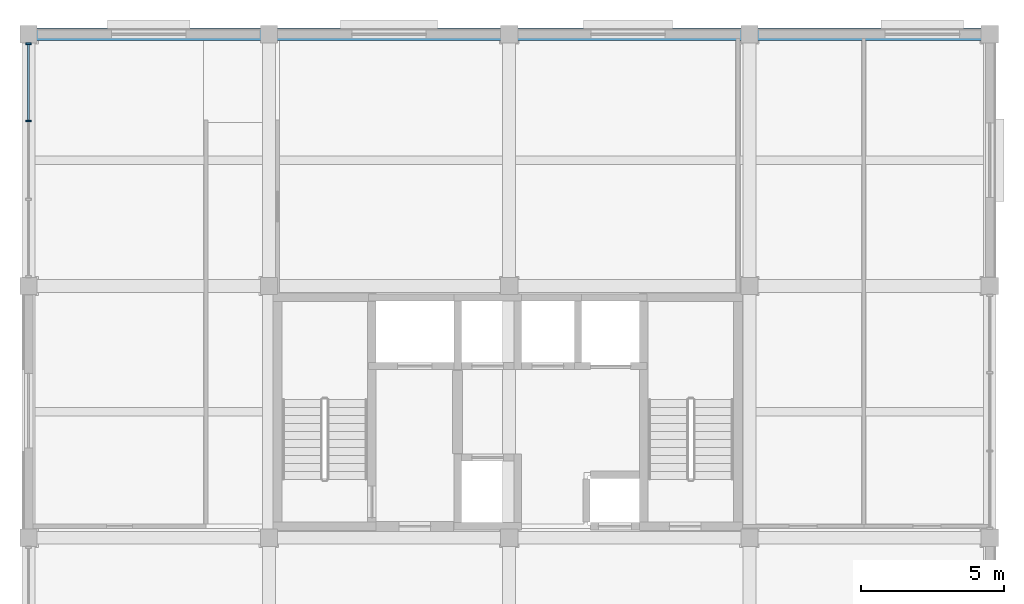
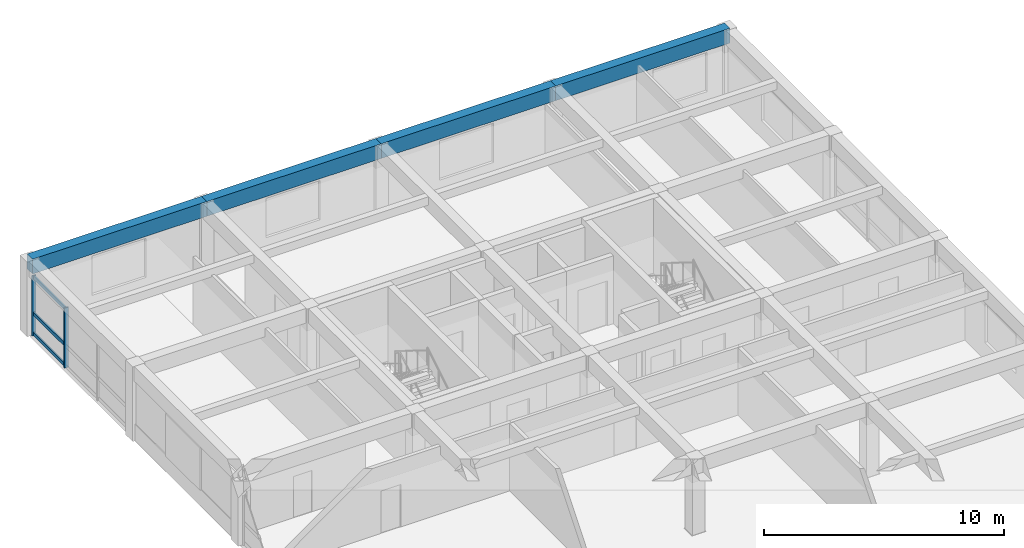
# One storey, part 5 of 12: 5 members, 4 beams, 1 element without a shape of its own.
"""IFC4 building model written with IfcOpenShell, lengths in metres."""

import ifcopenshell
import ifcopenshell.guid

model = None  # the IFC model being written
_history = None  # IfcOwnerHistory: only IFC2X3 demands one
_inside = {}  # id of a spatial element -> (the spatial element, [elements in it])
_under = {}  # id of a project, library or spatial element -> (it, [spatial elements below it])
_declared = {}  # id of a project -> (the project, [libraries it declares])
_typed = {}  # id of a type object -> (the type object, [elements of that type])
_made_of = {}  # id of a material, layer set ... -> (it, [elements and type objects made of it])


def new_model(schema):
    """Start an empty IFC model of exactly this schema.

    Asked for "IFC4X3", IfcOpenShell would pick the latest addendum, in which some entities
    have other attributes; the version numbers below select the first issue.
    IFC2X3 requires an IfcOwnerHistory on every rooted entity: one is made here for all.
    """
    global model, _history
    if schema == "IFC4X3":
        model = ifcopenshell.file(schema_version=(4, 3, 0, 0))
    else:
        model = ifcopenshell.file(schema=schema)
    _inside.clear()
    _under.clear()
    _declared.clear()
    _typed.clear()
    _made_of.clear()
    _history = None
    if model.schema == "IFC2X3":
        org = make("IfcOrganization", Name="unknown")
        user = make(
            "IfcPersonAndOrganization",
            ThePerson=make("IfcPerson", FamilyName="unknown"),
            TheOrganization=org,
        )
        app = make(
            "IfcApplication",
            ApplicationDeveloper=org,
            Version="unknown",
            ApplicationFullName="unknown",
            ApplicationIdentifier="unknown",
        )
        _history = make(
            "IfcOwnerHistory",
            OwningUser=user,
            OwningApplication=app,
            ChangeAction="ADDED",
            CreationDate=0,
        )
    return model


def make(cls, **values):
    """One entity of the class cls with the attributes given. An attribute that is None is left unset."""
    return model.create_entity(
        cls, **{name: value for name, value in values.items() if value is not None}
    )


def rooted(cls, **values):
    """An entity with a GlobalId (a new one), such as an element, a storey or a relation."""
    return make(cls, GlobalId=ifcopenshell.guid.new(), OwnerHistory=_history, **values)


def si_unit(unit_type, name, prefix=None):
    """IfcSIUnit, for example si_unit("LENGTHUNIT", "METRE", prefix="MILLI")."""
    return make("IfcSIUnit", UnitType=unit_type, Prefix=prefix, Name=name)


def assignment(units):
    """IfcUnitAssignment: the units of a project."""
    return None if units is None else make("IfcUnitAssignment", Units=units)


def point(xyz):
    """IfcCartesianPoint."""
    return None if xyz is None else make("IfcCartesianPoint", Coordinates=xyz)


def direction(xyz):
    """IfcDirection."""
    return None if xyz is None else make("IfcDirection", DirectionRatios=xyz)


def frame(location, z_axis=None, x_axis=None):
    """IfcAxis2Placement3D, a coordinate frame: its origin and axes. An axis left out is left unset."""
    return make(
        "IfcAxis2Placement3D",
        Location=point(location),
        Axis=direction(z_axis),
        RefDirection=direction(x_axis),
    )


def frame_2d(location, x_axis=None):
    """IfcAxis2Placement2D, a coordinate frame in the plane: its origin and x axis."""
    return make(
        "IfcAxis2Placement2D", Location=point(location), RefDirection=direction(x_axis)
    )


def origin():
    """The frame at (0, 0, 0) with its axes left unset."""
    return frame((0.0, 0.0, 0.0))


def origin_2d():
    """The frame at (0, 0) in the plane with its x axis left unset."""
    return frame_2d((0.0, 0.0))


def place(relative_to, where):
    """IfcLocalPlacement: puts the frame where relative to a parent placement (None: the world)."""
    return make(
        "IfcLocalPlacement", PlacementRelTo=relative_to, RelativePlacement=where
    )


def context(
    kind, dimensions, precision=None, world=None, true_north=None, identifier=None
):
    """IfcGeometricRepresentationContext, for example the 3D "Model" context."""
    return make(
        "IfcGeometricRepresentationContext",
        ContextIdentifier=identifier,
        ContextType=kind,
        CoordinateSpaceDimension=dimensions,
        Precision=precision,
        WorldCoordinateSystem=world,
        TrueNorth=true_north,
    )


def subcontext(parent, identifier, kind, view, scale=None):
    """IfcGeometricRepresentationSubContext, for example "Body" below "Model"."""
    return make(
        "IfcGeometricRepresentationSubContext",
        ContextIdentifier=identifier,
        ContextType=kind,
        ParentContext=parent,
        TargetScale=scale,
        TargetView=view,
    )


def project(units=None, contexts=None):
    """IfcProject with its units and contexts."""
    return rooted(
        "IfcProject",
        Name="project",
        RepresentationContexts=contexts,
        UnitsInContext=assignment(units),
    )


def spatial(cls, under=None, at=None, **own):
    """A site, building, storey or space (cls), placed at a placement, below another one or the project."""
    s = rooted(cls, ObjectPlacement=at, **own)
    if under is not None:
        _under.setdefault(under.id(), (under, []))[1].append(s)
    return s


def profile(cls, at=None, kind="AREA", **sizes):
    """A parametric profile (cls). Its sizes go by their IFC names, for example OverallWidth=200.0."""
    return make(cls, ProfileType=kind, Position=at, **sizes)


def rectangle(**sizes):
    """IfcRectangleProfileDef."""
    return profile("IfcRectangleProfileDef", **sizes)


def extrude(swept, where, along, depth):
    """IfcExtrudedAreaSolid: the profile swept, set in the frame where, extruded along a direction by depth."""
    return make(
        "IfcExtrudedAreaSolid",
        SweptArea=swept,
        Position=where,
        ExtrudedDirection=direction(along),
        Depth=depth,
    )


def shape(context_of_items, identifier, shape_type, items):
    """IfcShapeRepresentation: the items that make up one representation, for example the "Body"."""
    return make(
        "IfcShapeRepresentation",
        ContextOfItems=context_of_items,
        RepresentationIdentifier=identifier,
        RepresentationType=shape_type,
        Items=items,
    )


def material(Name=None, Category=None):
    """IfcMaterial."""
    return make("IfcMaterial", Name=Name, Category=Category)


def material_profile(
    of_material, cross_section, Name=None, Category=None, Priority=None
):
    """IfcMaterialProfile: a cross section and its material."""
    return make(
        "IfcMaterialProfile",
        Name=Name,
        Material=of_material,
        Profile=cross_section,
        Priority=Priority,
        Category=Category,
    )


def profile_set(profiles, Name=None, composite=None):
    """IfcMaterialProfileSet."""
    return make(
        "IfcMaterialProfileSet",
        Name=Name,
        MaterialProfiles=profiles,
        CompositeProfile=composite,
    )


def made_of(thing, what):
    """Note that an element or type object is made of a material, layer set ...; save() writes the relation."""
    if what is not None:
        _made_of.setdefault(what.id(), (what, []))[1].append(thing)
    return thing


def type_object(cls, material=None, **own):
    """A type object (cls), such as IfcWallType, which elements share."""
    return made_of(rooted(cls, **own), material)


def element(
    cls,
    number,
    at=None,
    inside=None,
    cuts=None,
    type_object=None,
    material=None,
    context=None,
    identifier="Body",
    shape_type=None,
    held_by="IfcProductDefinitionShape",
    body=None,
    shapes=None,
    **own,
):
    """One element of the class cls, such as IfcWall. Its Tag is "e" and its number.

    at: its placement. inside: the storey or other place that contains it. cuts: it is an
    opening in that element (IfcRelVoidsElement). A single representation is given by context,
    identifier, shape_type and body (its items); several are given by shapes. held_by: the class
    of the entity that holds the representations. save() writes the other relations.
    """
    e = rooted(cls, Tag="e%d" % number, ObjectPlacement=at, **own)
    if body is not None:
        shapes = [shape(context, identifier, shape_type, body)]
    if shapes is not None:
        e.Representation = make(held_by, Representations=shapes)
    if inside is not None:
        _inside.setdefault(inside.id(), (inside, []))[1].append(e)
    if cuts is not None:
        rooted(
            "IfcRelVoidsElement", RelatingBuildingElement=cuts, RelatedOpeningElement=e
        )
    if type_object is not None:
        _typed.setdefault(type_object.id(), (type_object, []))[1].append(e)
    return made_of(e, material)


def aggregate(whole, parts):
    """IfcRelAggregates: a whole, such as a stair, and the parts it consists of."""
    return rooted("IfcRelAggregates", RelatingObject=whole, RelatedObjects=parts)


def save(model, path):
    """Write the relations noted so far, then the file.

    IfcRelAggregates (storeys below a building ...), IfcRelContainedInSpatialStructure (elements
    in a storey), IfcRelDefinesByType, IfcRelAssociatesMaterial and IfcRelDeclares: one each for
    every whole, place, type object, material and project.
    """
    for whole, parts in _under.values():
        aggregate(whole, parts)
    for where, things in _inside.values():
        rooted(
            "IfcRelContainedInSpatialStructure",
            RelatedElements=things,
            RelatingStructure=where,
        )
    for kind, things in _typed.values():
        rooted("IfcRelDefinesByType", RelatedObjects=things, RelatingType=kind)
    for what, things in _made_of.values():
        rooted("IfcRelAssociatesMaterial", RelatedObjects=things, RelatingMaterial=what)
    for by, libraries in _declared.values():
        rooted("IfcRelDeclares", RelatingContext=by, RelatedDefinitions=libraries)
    model.write(path)


model = new_model("IFC4")

# Units and contexts
model_context = context("Model", 3, precision=1e-05, world=origin(), true_north=direction((0.0, 1.0)))
body_context = subcontext(model_context, "Body", "Model", "MODEL_VIEW")
ifc_project = project(units=[si_unit("LENGTHUNIT", "METRE"), si_unit("AREAUNIT", "SQUARE_METRE"), si_unit("VOLUMEUNIT", "CUBIC_METRE"), si_unit("PLANEANGLEUNIT", "RADIAN"), si_unit("MASSUNIT", "GRAM", prefix="KILO")], contexts=[model_context])

# Site, building, storey
site_placement = place(None, origin())
site = spatial("IfcSite", under=ifc_project, at=site_placement, CompositionType="ELEMENT")
building_placement = place(site_placement, origin())
building = spatial("IfcBuilding", under=site, at=building_placement, Name="Kemercrest Conservatory and Botanical Centre", CompositionType="ELEMENT")
storey_placement = place(building_placement, frame((0.0, 0.0, 56.0)))
storey = spatial("IfcBuildingStorey", under=building, at=storey_placement, Name="L14", CompositionType="ELEMENT", Elevation=56.0)

# Curtain wall, members
ifc_material_1 = material(Name="Thermally broken aluminium and triple low-e glazing", Category="aluminium")
curtain_wall_type = type_object("IfcCurtainWallType", Name="CW-24", PredefinedType="USERDEFINED", material=ifc_material_1)
curtain_wall_placement = place(storey_placement, origin())
curtain_wall = element("IfcCurtainWall", 1, at=curtain_wall_placement, inside=storey, type_object=curtain_wall_type, Name="Unitised curtain wall CW-24 (CW:L14:V4-143)", ObjectType="UNITISED CURTAIN WALL", PredefinedType="USERDEFINED")
ifc_material_2 = material(Name="Thermally broken anodized aluminium 6063-T6", Category="aluminium")
ifc_material_profile_1 = material_profile(ifc_material_2, rectangle(XDim=0.199951171875, YDim=0.06494140625, at=origin_2d()), Name="AL MULLION 65x200")
ifc_profile_set_1 = profile_set([ifc_material_profile_1], Name="Thermally broken anodized aluminium 6063-T6")
member_type_1 = type_object("IfcMemberType", Name="CW-M200", PredefinedType="MULLION", material=ifc_profile_set_1)
member_1_placement = place(storey_placement, frame((142.39990234375, 122.072509765625, 0.0), z_axis=(0.0, 0.0, 1.0), x_axis=(1.0, 0.0, 0.0)))
member_1 = element("IfcMember", 2, at=member_1_placement, type_object=member_type_1, Name="CW-24 mullion 1", PredefinedType="MULLION", context=body_context, shape_type="SweptSolid", body=[
    extrude(rectangle(XDim=0.199951171875, YDim=0.06494140625, at=origin_2d()), origin(), (0.0, 0.0, 1.0), 3.054931640625),
])
member_2_placement = place(storey_placement, frame((142.39990234375, 119.368408203125, 0.0), z_axis=(0.0, 0.0, 1.0), x_axis=(1.0, 0.0, 0.0)))
member_2 = element("IfcMember", 3, at=member_2_placement, type_object=member_type_1, Name="CW-24 mullion 2", PredefinedType="MULLION", context=body_context, shape_type="SweptSolid", body=[
    extrude(rectangle(XDim=0.199951171875, YDim=0.06494140625, at=origin_2d()), origin(), (0.0, 0.0, 1.0), 3.054931640625),
])
ifc_material_profile_2 = material_profile(ifc_material_2, rectangle(XDim=0.074951171875, YDim=0.179931640625, at=origin_2d()), Name="AL TRANSOM 75x180")
ifc_profile_set_2 = profile_set([ifc_material_profile_2], Name="Thermally broken anodized aluminium 6063-T6")
member_type_2 = type_object("IfcMemberType", Name="CW-T180", PredefinedType="USERDEFINED", material=ifc_profile_set_2)
member_3_placement = place(storey_placement, frame((142.39990234375, 122.0400390625, 0.090087890625), z_axis=(0.0, -1.0, 0.0), x_axis=(1.0, 0.0, 0.0)))
member_3 = element("IfcMember", 4, at=member_3_placement, type_object=member_type_2, Name="CW-24 transom 1.1", ObjectType="TRANSOM", PredefinedType="USERDEFINED", context=body_context, shape_type="SweptSolid", body=[
    extrude(rectangle(XDim=0.074951171875, YDim=0.179931640625, at=origin_2d()), origin(), (0.0, 0.0, 1.0), 2.63916015625),
])
member_4_placement = place(storey_placement, frame((142.39990234375, 122.0400390625, 1.1201171875), z_axis=(0.0, -1.0, 0.0), x_axis=(1.0, 0.0, 0.0)))
member_4 = element("IfcMember", 5, at=member_4_placement, type_object=member_type_2, Name="CW-24 transom 1.2", ObjectType="TRANSOM", PredefinedType="USERDEFINED", context=body_context, shape_type="SweptSolid", body=[
    extrude(rectangle(XDim=0.074951171875, YDim=0.179931640625, at=origin_2d()), origin(), (0.0, 0.0, 1.0), 2.63916015625),
])
member_5_placement = place(storey_placement, frame((142.39990234375, 122.0400390625, 2.965087890625), z_axis=(0.0, -1.0, 0.0), x_axis=(1.0, 0.0, 0.0)))
member_5 = element("IfcMember", 6, at=member_5_placement, type_object=member_type_2, Name="CW-24 transom 1.3", ObjectType="TRANSOM", PredefinedType="USERDEFINED", context=body_context, shape_type="SweptSolid", body=[
    extrude(rectangle(XDim=0.074951171875, YDim=0.179931640625, at=origin_2d()), origin(), (0.0, 0.0, 1.0), 2.63916015625),
])
aggregate(curtain_wall, [member_1, member_2, member_3, member_4, member_5])

# Beams
ifc_material_3 = material(Name="Concrete C40/50", Category="concrete")
ifc_material_profile_3 = material_profile(ifc_material_3, rectangle(XDim=0.449951171875, YDim=0.75, at=origin_2d()), Name="RC 450x750")
ifc_profile_set_3 = profile_set([ifc_material_profile_3], Name="Concrete C40/50")
beam_type = type_object("IfcBeamType", Name="SP-RC75", PredefinedType="SPANDREL", material=ifc_profile_set_3)
beam_1_placement = place(storey_placement, frame((142.39990234375, 122.39990234375, 3.425048828125), z_axis=(1.0, 0.0, 0.0), x_axis=(0.0, 1.0, 0.0)))
element("IfcBeam", 7, at=beam_1_placement, inside=storey, type_object=beam_type, Name="V4-L15 beam SP-RC75 P/17-18", PredefinedType="SPANDREL", context=body_context, shape_type="SweptSolid", body=[
    extrude(rectangle(XDim=0.449951171875, YDim=0.75, at=origin_2d()), origin(), (0.0, 0.0, 1.0), 8.400146484375),
])
beam_2_placement = place(storey_placement, frame((150.800048828125, 122.39990234375, 3.425048828125), z_axis=(1.0, 0.0, 0.0), x_axis=(0.0, 1.0, 0.0)))
element("IfcBeam", 8, at=beam_2_placement, inside=storey, type_object=beam_type, Name="V4-L15 beam SP-RC75 P/18-19", PredefinedType="SPANDREL", context=body_context, shape_type="SweptSolid", body=[
    extrude(rectangle(XDim=0.449951171875, YDim=0.75, at=origin_2d()), origin(), (0.0, 0.0, 1.0), 8.39990234375),
])
beam_3_placement = place(storey_placement, frame((159.199951171875, 122.39990234375, 3.425048828125), z_axis=(1.0, 0.0, 0.0), x_axis=(0.0, 1.0, 0.0)))
element("IfcBeam", 9, at=beam_3_placement, inside=storey, type_object=beam_type, Name="V4-L15 beam SP-RC75 P/19-20", PredefinedType="SPANDREL", context=body_context, shape_type="SweptSolid", body=[
    extrude(rectangle(XDim=0.449951171875, YDim=0.75, at=origin_2d()), origin(), (0.0, 0.0, 1.0), 8.400146484375),
])
beam_4_placement = place(storey_placement, frame((167.60009765625, 122.39990234375, 3.425048828125), z_axis=(1.0, 0.0, 0.0), x_axis=(0.0, 1.0, 0.0)))
element("IfcBeam", 10, at=beam_4_placement, inside=storey, type_object=beam_type, Name="V4-L15 beam SP-RC75 P/20-21", PredefinedType="SPANDREL", context=body_context, shape_type="SweptSolid", body=[
    extrude(rectangle(XDim=0.449951171875, YDim=0.75, at=origin_2d()), origin(), (0.0, 0.0, 1.0), 8.39990234375),
])

save(model, "model.ifc")
